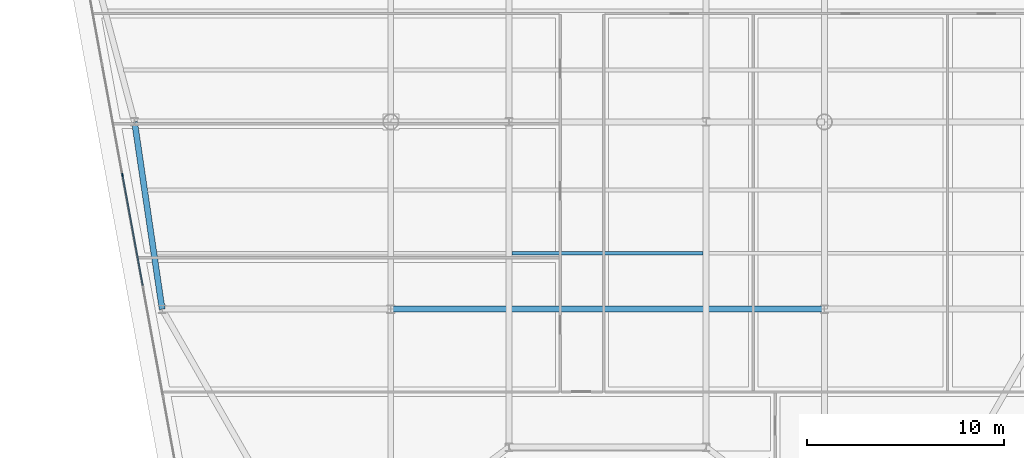
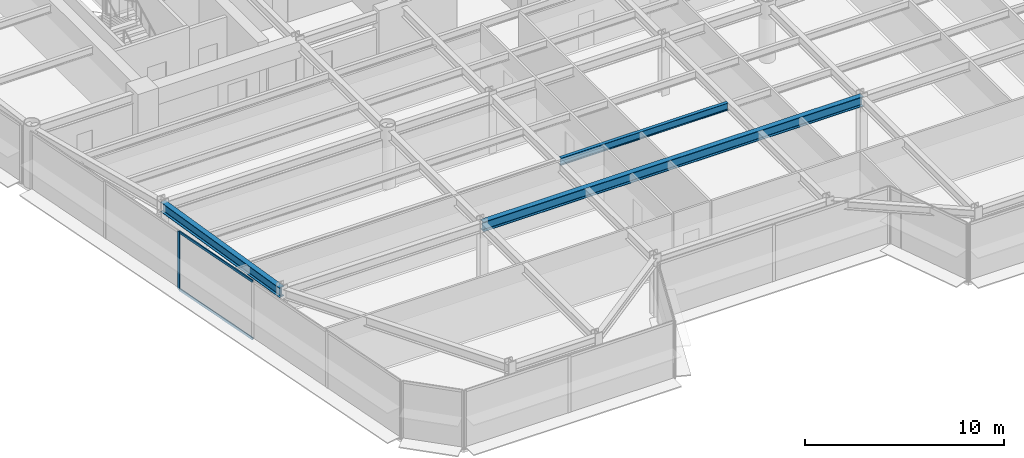
# One storey, part 3 of 16: 3 beams, 3 members, 1 element without a shape of its own.
"""IFC4 building model written with IfcOpenShell, lengths in metres."""

from ifc_helpers import new_model, si_unit, direction, frame, origin, origin_2d, place, context, subcontext, project, spatial, rectangle, i_section, extrude, source, transform, mapped, material, layer, layer_set, material_profile, profile_set, type_object, element, aggregate, save


model = new_model("IFC4")

# Units and contexts
model_context = context("Model", 3, precision=1e-05, world=origin(), true_north=direction((0.0, 1.0)))
body_context = subcontext(model_context, "Body", "Model", "MODEL_VIEW")
ifc_project = project(units=[si_unit("LENGTHUNIT", "METRE"), si_unit("AREAUNIT", "SQUARE_METRE"), si_unit("VOLUMEUNIT", "CUBIC_METRE"), si_unit("PLANEANGLEUNIT", "RADIAN"), si_unit("MASSUNIT", "GRAM", prefix="KILO")], contexts=[model_context])

# Site, building, storey
site_placement = place(None, origin())
site = spatial("IfcSite", under=ifc_project, at=site_placement, CompositionType="ELEMENT")
building_placement = place(site_placement, origin())
building = spatial("IfcBuilding", under=site, at=building_placement, Name="Vaeldorn Concourse Tower", CompositionType="ELEMENT")
storey_placement = place(building_placement, frame((0.0, 0.0, 184.199951171875)))
storey = spatial("IfcBuildingStorey", under=building, at=storey_placement, Name="L47", CompositionType="ELEMENT", Elevation=184.199951171875)

# Beams
ifc_material_1 = material(Name="Steel S355", Category="steel")
ifc_material_profile_1 = material_profile(ifc_material_1, i_section(OverallWidth=0.18994140625, OverallDepth=0.449951171875, WebThickness=0.009521484375, FlangeThickness=0.0146484375, FilletRadius=0.02099609375, at=origin_2d()), Name="IPE 450")
ifc_profile_set_1 = profile_set([ifc_material_profile_1], Name="Steel S355")
beam_type_1 = type_object("IfcBeamType", Name="BM-JS-IPE450", PredefinedType="JOIST", material=ifc_profile_set_1)
shared_shape_1 = source(origin(), body_context, "Body", "SweptSolid", [
    extrude(i_section(OverallWidth=0.18994140625, OverallDepth=0.449951171875, WebThickness=0.009521484375, FlangeThickness=0.0146484375, FilletRadius=0.02099609375, at=origin_2d()), origin(), (0.0, 0.0, 1.0), 9.7001953125),
])
beam_1_placement = place(storey_placement, frame((29.14990234375, 20.840087890625, 3.35498046875), z_axis=(1.0, 0.0, 0.0), x_axis=(0.0, 1.0, 0.0)))
element("IfcBeam", 1, at=beam_1_placement, inside=storey, type_object=beam_type_1, Name="Beam JS-L47-C-208", PredefinedType="JOIST", context=body_context, shape_type="MappedRepresentation", body=[
    mapped(shared_shape_1, transform((0.0, 0.0, 0.0), scale=1.0)),
])
ifc_material_profile_2 = material_profile(ifc_material_1, i_section(OverallWidth=0.300048828125, OverallDepth=0.60009765625, WebThickness=0.015380859375, FlangeThickness=0.030029296875, FilletRadius=0.027099609375, at=origin_2d()), Name="HEB 600")
ifc_profile_set_2 = profile_set([ifc_material_profile_2], Name="Steel S355")
beam_type_2 = type_object("IfcBeamType", Name="BM-PG-HEB600", PredefinedType="BEAM", material=ifc_profile_set_2)
shared_shape_2 = source(origin(), body_context, "Body", "SweptSolid", [
    extrude(i_section(OverallWidth=0.300048828125, OverallDepth=0.60009765625, WebThickness=0.015380859375, FlangeThickness=0.030029296875, FilletRadius=0.027099609375, at=origin_2d()), origin(), (0.0, 0.0, 1.0), 9.6025390625),
])
beam_2_placement = place(storey_placement, frame((10.0, 27.5, 3.280029296875), z_axis=(0.145783835977, -0.989316467652, 0.0), x_axis=(0.989316467652, 0.145783835977, 0.0)))
element("IfcBeam", 2, at=beam_2_placement, inside=storey, type_object=beam_type_2, Name="Beam BM-L47-C-FLW1-C-FLW2", PredefinedType="BEAM", context=body_context, shape_type="MappedRepresentation", body=[
    mapped(shared_shape_2, transform((0.0, 0.0, 0.0), scale=1.0)),
])
shared_shape_3 = source(origin(), body_context, "Body", "SweptSolid", [
    extrude(i_section(OverallWidth=0.300048828125, OverallDepth=0.60009765625, WebThickness=0.015380859375, FlangeThickness=0.030029296875, FilletRadius=0.027099609375, at=origin_2d()), origin(), (0.0, 0.0, 1.0), 22.0),
])
beam_3_placement = place(storey_placement, frame((23.0, 18.0, 3.280029296875), z_axis=(1.0, 0.0, 0.0), x_axis=(0.0, 1.0, 0.0)))
element("IfcBeam", 3, at=beam_3_placement, inside=storey, type_object=beam_type_2, Name="Beam BM-L47-C-TW5-C-TW6", PredefinedType="BEAM", context=body_context, shape_type="MappedRepresentation", body=[
    mapped(shared_shape_3, transform((0.0, 0.0, 0.0), scale=1.0)),
])

# Curtain wall, members
ifc_material_2 = material(Name="Anodised Bronze Aluminium", Category="aluminium")
ifc_layer = layer(ifc_material_2, 0.18994140625)
ifc_layer_set = layer_set([ifc_layer], Name="Anodised Bronze Aluminium")
curtain_wall_type = type_object("IfcCurtainWallType", Name="CW-SYS-03", PredefinedType="NOTDEFINED", material=ifc_layer_set)
curtain_wall_placement = place(storey_placement, origin())
curtain_wall = element("IfcCurtainWall", 4, at=curtain_wall_placement, inside=storey, type_object=curtain_wall_type, Name="Unitised Curtain Wall CW-L47-E11-2", PredefinedType="NOTDEFINED")
ifc_material_profile_3 = material_profile(ifc_material_2, rectangle(XDim=0.06494140625, YDim=0.169921875, at=origin_2d()), Name="CWM 65x170")
ifc_profile_set_3 = profile_set([ifc_material_profile_3], Name="Anodised Bronze Aluminium")
member_type_1 = type_object("IfcMemberType", Name="CWM-BRONZE-170", PredefinedType="MULLION", material=ifc_profile_set_3)
shared_shape_4 = source(origin(), body_context, "Body", "SweptSolid", [
    extrude(rectangle(XDim=0.06494140625, YDim=0.169921875, at=origin_2d()), origin(), (0.0, 0.0, 1.0), 3.580078125),
])
member_1_placement = place(storey_placement, frame((9.38623046875, 24.81005859375, 0.0), z_axis=(0.0, 0.0, 1.0), x_axis=(0.983559325018, 0.180585309951, 0.0)))
member_1 = element("IfcMember", 5, at=member_1_placement, type_object=member_type_1, Name="CW-03 mullion 3", PredefinedType="MULLION", context=body_context, shape_type="MappedRepresentation", body=[
    mapped(shared_shape_4, transform((0.0, 0.0, 0.0), scale=1.0)),
])
ifc_material_profile_4 = material_profile(ifc_material_2, rectangle(XDim=0.06494140625, YDim=0.14990234375, at=origin_2d()), Name="CWT 65x150")
ifc_profile_set_4 = profile_set([ifc_material_profile_4], Name="Anodised Bronze Aluminium")
member_type_2 = type_object("IfcMemberType", Name="CWT-BRONZE-150", PredefinedType="USERDEFINED", material=ifc_profile_set_4)
shared_shape_5 = source(origin(), body_context, "Body", "SweptSolid", [
    extrude(rectangle(XDim=0.06494140625, YDim=0.14990234375, at=origin_2d()), origin(), (0.0, 0.0, 1.0), 5.666015625),
])
member_2_placement = place(storey_placement, frame((9.39208984375, 24.778076171875, 0.032470703125), z_axis=(0.180587719149, -0.983558882677, 0.0), x_axis=(0.983558882677, 0.180587719149, 0.0)))
member_2 = element("IfcMember", 6, at=member_2_placement, type_object=member_type_2, Name="CW-03 transom 3.1", ObjectType="TRANSOM", PredefinedType="USERDEFINED", context=body_context, shape_type="MappedRepresentation", body=[
    mapped(shared_shape_5, transform((0.0, 0.0, 0.0), scale=1.0)),
])
member_3_placement = place(storey_placement, frame((9.39208984375, 24.778076171875, 3.547607421875), z_axis=(0.180587719149, -0.983558882677, 0.0), x_axis=(0.983558882677, 0.180587719149, 0.0)))
member_3 = element("IfcMember", 7, at=member_3_placement, type_object=member_type_2, Name="CW-03 transom 3.2", ObjectType="TRANSOM", PredefinedType="USERDEFINED", context=body_context, shape_type="MappedRepresentation", body=[
    mapped(shared_shape_5, transform((0.0, 0.0, 0.0), scale=1.0)),
])
aggregate(curtain_wall, [member_1, member_2, member_3])

save(model, "model.ifc")
